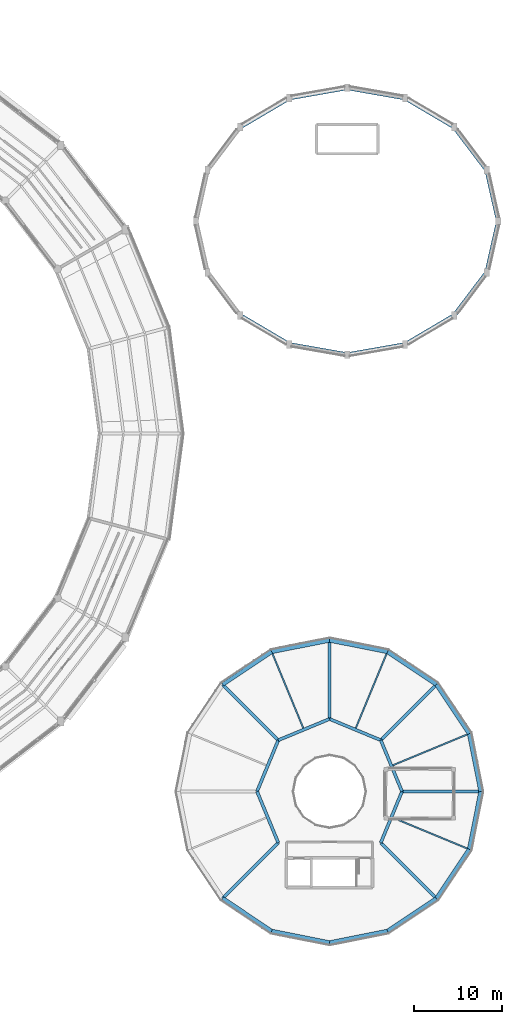
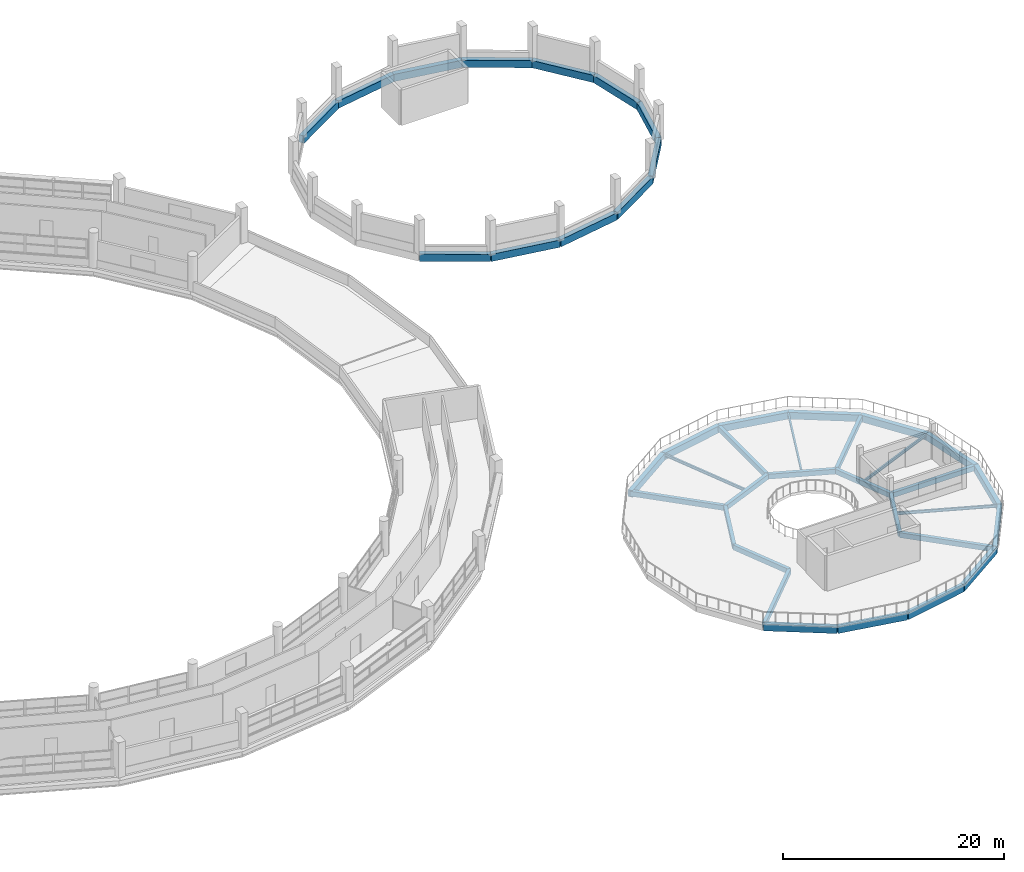
# One storey, part 82 of 108: 40 beams.
"""IFC4 building model written with IfcOpenShell, lengths in metres."""

from ifc_helpers import new_model, si_unit, direction, frame, origin, origin_2d, place, context, subcontext, project, spatial, rectangle, i_section, extrude, material, material_profile, profile_set, type_object, element, save


model = new_model("IFC4")

# Units and contexts
model_context = context("Model", 3, precision=1e-05, world=origin(), true_north=direction((0.0, 1.0)))
body_context = subcontext(model_context, "Body", "Model", "MODEL_VIEW")
ifc_project = project(units=[si_unit("LENGTHUNIT", "METRE"), si_unit("AREAUNIT", "SQUARE_METRE"), si_unit("VOLUMEUNIT", "CUBIC_METRE"), si_unit("PLANEANGLEUNIT", "RADIAN"), si_unit("MASSUNIT", "GRAM", prefix="KILO")], contexts=[model_context])

# Site, building, storey
site_placement = place(None, origin())
site = spatial("IfcSite", under=ifc_project, at=site_placement, CompositionType="ELEMENT")
building_placement = place(site_placement, origin())
building = spatial("IfcBuilding", under=site, at=building_placement, Name="Vespera Passage Community Centre", CompositionType="ELEMENT")
storey_placement = place(building_placement, frame((0.0, 0.0, 12.60009765625)))
storey = spatial("IfcBuildingStorey", under=building, at=storey_placement, Name="L03", CompositionType="ELEMENT", Elevation=12.60009765625)

# Beams
ifc_material_1 = material(Name="Concrete f'c 35 MPa", Category="concrete")
ifc_material_profile_1 = material_profile(ifc_material_1, rectangle(XDim=0.35009765625, YDim=0.550048828125, at=origin_2d()), Name="RC350X550")
ifc_profile_set_1 = profile_set([ifc_material_profile_1], Name="Concrete f'c 35 MPa")
beam_type_1 = type_object("IfcBeamType", Name="BM-J-350X550", PredefinedType="JOIST", material=ifc_profile_set_1)
beam_1_placement = place(storey_placement, frame((149.199951171875, 25.0, -0.5751953125), z_axis=(-0.382664436252, 0.92388740073, 0.0), x_axis=(-0.92388740073, -0.382664436252, 0.0)))
element("IfcBeam", 1, at=beam_1_placement, inside=storey, type_object=beam_type_1, Name="V3 L03 Inner Ring Beam 1", PredefinedType="JOIST", context=body_context, shape_type="SweptSolid", body=[
    extrude(rectangle(XDim=0.35009765625, YDim=0.550048828125, at=origin_2d()), origin(), (0.0, 0.0, 1.0), 6.276123046875),
])
beam_2_placement = place(storey_placement, frame((149.199951171875, 25.0, -0.5751953125), z_axis=(1.0, 0.0, 0.0), x_axis=(0.0, 1.0, 0.0)))
element("IfcBeam", 2, at=beam_2_placement, inside=storey, type_object=beam_type_1, Name="V3 L03 Radial Girder 1", PredefinedType="JOIST", context=body_context, shape_type="SweptSolid", body=[
    extrude(rectangle(XDim=0.35009765625, YDim=0.550048828125, at=origin_2d()), origin(), (0.0, 0.0, 1.0), 8.900146484375),
])
beam_3_placement = place(storey_placement, frame((146.79833984375, 30.79833984375, -0.5751953125), z_axis=(-0.92388740073, 0.382664436252, 0.0), x_axis=(-0.382664436252, -0.92388740073, 0.0)))
element("IfcBeam", 3, at=beam_3_placement, inside=storey, type_object=beam_type_1, Name="V3 L03 Inner Ring Beam 2", PredefinedType="JOIST", context=body_context, shape_type="SweptSolid", body=[
    extrude(rectangle(XDim=0.35009765625, YDim=0.550048828125, at=origin_2d()), origin(), (0.0, 0.0, 1.0), 6.276123046875),
])
beam_4_placement = place(storey_placement, frame((146.79833984375, 30.79833984375, -0.5751953125), z_axis=(0.707106781187, 0.707106781187, 0.0), x_axis=(-0.707106781187, 0.707106781187, 0.0)))
element("IfcBeam", 4, at=beam_4_placement, inside=storey, type_object=beam_type_1, Name="V3 L03 Radial Girder 2", PredefinedType="JOIST", context=body_context, shape_type="SweptSolid", body=[
    extrude(rectangle(XDim=0.35009765625, YDim=0.550048828125, at=origin_2d()), origin(), (0.0, 0.0, 1.0), 8.89990234375),
])
beam_5_placement = place(storey_placement, frame((141.0, 33.199951171875, -0.5751953125), z_axis=(-0.92388740073, -0.382664436252, 0.0), x_axis=(0.382664436252, -0.92388740073, 0.0)))
element("IfcBeam", 5, at=beam_5_placement, inside=storey, type_object=beam_type_1, Name="V3 L03 Inner Ring Beam 3", PredefinedType="JOIST", context=body_context, shape_type="SweptSolid", body=[
    extrude(rectangle(XDim=0.35009765625, YDim=0.550048828125, at=origin_2d()), origin(), (0.0, 0.0, 1.0), 6.276123046875),
])
beam_6_placement = place(storey_placement, frame((141.0, 33.199951171875, -0.5751953125), z_axis=(0.0, 1.0, 0.0), x_axis=(-1.0, 0.0, 0.0)))
element("IfcBeam", 6, at=beam_6_placement, inside=storey, type_object=beam_type_1, Name="V3 L03 Radial Girder 3", PredefinedType="JOIST", context=body_context, shape_type="SweptSolid", body=[
    extrude(rectangle(XDim=0.35009765625, YDim=0.550048828125, at=origin_2d()), origin(), (0.0, 0.0, 1.0), 8.900146484375),
])
beam_7_placement = place(storey_placement, frame((135.20166015625, 30.79833984375, -0.5751953125), z_axis=(-0.382664436252, -0.92388740073, 0.0), x_axis=(0.92388740073, -0.382664436252, 0.0)))
element("IfcBeam", 7, at=beam_7_placement, inside=storey, type_object=beam_type_1, Name="V3 L03 Inner Ring Beam 4", PredefinedType="JOIST", context=body_context, shape_type="SweptSolid", body=[
    extrude(rectangle(XDim=0.35009765625, YDim=0.550048828125, at=origin_2d()), origin(), (0.0, 0.0, 1.0), 6.276123046875),
])
beam_8_placement = place(storey_placement, frame((135.20166015625, 30.79833984375, -0.5751953125), z_axis=(-0.707106781187, 0.707106781187, 0.0), x_axis=(-0.707106781187, -0.707106781187, 0.0)))
element("IfcBeam", 8, at=beam_8_placement, inside=storey, type_object=beam_type_1, Name="V3 L03 Radial Girder 4", PredefinedType="JOIST", context=body_context, shape_type="SweptSolid", body=[
    extrude(rectangle(XDim=0.35009765625, YDim=0.550048828125, at=origin_2d()), origin(), (0.0, 0.0, 1.0), 8.89990234375),
])
beam_9_placement = place(storey_placement, frame((132.800048828125, 25.0, -0.5751953125), z_axis=(0.382664436252, -0.92388740073, 0.0), x_axis=(0.92388740073, 0.382664436252, 0.0)))
element("IfcBeam", 9, at=beam_9_placement, inside=storey, type_object=beam_type_1, Name="V3 L03 Inner Ring Beam 5", PredefinedType="JOIST", context=body_context, shape_type="SweptSolid", body=[
    extrude(rectangle(XDim=0.35009765625, YDim=0.550048828125, at=origin_2d()), origin(), (0.0, 0.0, 1.0), 6.276123046875),
])
beam_10_placement = place(storey_placement, frame((135.20166015625, 19.20166015625, -0.5751953125), z_axis=(-0.707106781187, -0.707106781187, 0.0), x_axis=(0.707106781187, -0.707106781187, 0.0)))
element("IfcBeam", 10, at=beam_10_placement, inside=storey, type_object=beam_type_1, Name="V3 L03 Radial Girder 6", PredefinedType="JOIST", context=body_context, shape_type="SweptSolid", body=[
    extrude(rectangle(XDim=0.35009765625, YDim=0.550048828125, at=origin_2d()), origin(), (0.0, 0.0, 1.0), 8.89990234375),
])
beam_11_placement = place(storey_placement, frame((146.79833984375, 19.20166015625, -0.5751953125), z_axis=(0.382664436252, 0.92388740073, 0.0), x_axis=(-0.92388740073, 0.382664436252, 0.0)))
element("IfcBeam", 11, at=beam_11_placement, inside=storey, type_object=beam_type_1, Name="V3 L03 Inner Ring Beam 8", PredefinedType="JOIST", context=body_context, shape_type="SweptSolid", body=[
    extrude(rectangle(XDim=0.35009765625, YDim=0.550048828125, at=origin_2d()), origin(), (0.0, 0.0, 1.0), 6.276123046875),
])
beam_12_placement = place(storey_placement, frame((146.79833984375, 19.20166015625, -0.5751953125), z_axis=(0.707106781187, -0.707106781187, 0.0), x_axis=(0.707106781187, 0.707106781187, 0.0)))
element("IfcBeam", 12, at=beam_12_placement, inside=storey, type_object=beam_type_1, Name="V3 L03 Radial Girder 8", PredefinedType="JOIST", context=body_context, shape_type="SweptSolid", body=[
    extrude(rectangle(XDim=0.35009765625, YDim=0.550048828125, at=origin_2d()), origin(), (0.0, 0.0, 1.0), 8.89990234375),
])
ifc_material_2 = material(Name="Steel ASTM A992 Grade 50", Category="steel")
ifc_material_profile_2 = material_profile(ifc_material_2, i_section(OverallWidth=0.16650390625, OverallDepth=0.3173828125, WebThickness=0.007568359375, FlangeThickness=0.01318359375, FilletRadius=0.007568359375, at=origin_2d()), Name="W12X35")
ifc_profile_set_2 = profile_set([ifc_material_profile_2], Name="Steel ASTM A992 Grade 50")
beam_type_2 = type_object("IfcBeamType", Name="BM-J-W12X35", PredefinedType="JOIST", material=ifc_profile_set_2)
beam_13_placement = place(storey_placement, frame((147.9990234375, 27.899169921875, -0.458984375), z_axis=(0.923880304795, 0.382681567901, 0.0), x_axis=(-0.382681567901, 0.923880304795, 0.0)))
element("IfcBeam", 13, at=beam_13_placement, inside=storey, type_object=beam_type_2, Name="V3 L03 Secondary Joist 1", PredefinedType="JOIST", context=body_context, shape_type="SweptSolid", body=[
    extrude(i_section(OverallWidth=0.16650390625, OverallDepth=0.3173828125, WebThickness=0.007568359375, FlangeThickness=0.01318359375, FilletRadius=0.007568359375, at=origin_2d()), origin(), (0.0, 0.0, 1.0), 9.5244140625),
])
for number, where, z_axis, x_axis, name in (
    (14, (143.899169921875, 31.999267578125, -0.458984375), (0.382690630849, 0.923876550769, 0.0), (-0.923876550769, 0.382690630849, 0.0), "V3 L03 Secondary Joist 2"),
    (15, (138.100830078125, 31.999267578125, -0.458984375), (-0.382690630849, 0.923876550769, 0.0), (-0.923876550769, -0.382690630849, 0.0), "V3 L03 Secondary Joist 3"),
):
    element("IfcBeam", number, at=place(storey_placement, frame(where, z_axis=z_axis, x_axis=x_axis)), inside=storey, type_object=beam_type_2, Name=name, PredefinedType="JOIST", context=body_context, shape_type="SweptSolid", body=[
        extrude(i_section(OverallWidth=0.16650390625, OverallDepth=0.3173828125, WebThickness=0.007568359375, FlangeThickness=0.01318359375, FilletRadius=0.007568359375, at=origin_2d()), origin(), (0.0, 0.0, 1.0), 9.524169921875),
    ])
beam_14_placement = place(storey_placement, frame((147.9990234375, 22.100830078125, -0.458984375), z_axis=(0.923880304795, -0.382681567901, 0.0), x_axis=(0.382681567901, 0.923880304795, 0.0)))
element("IfcBeam", 16, at=beam_14_placement, inside=storey, type_object=beam_type_2, Name="V3 L03 Secondary Joist 8", PredefinedType="JOIST", context=body_context, shape_type="SweptSolid", body=[
    extrude(i_section(OverallWidth=0.16650390625, OverallDepth=0.3173828125, WebThickness=0.007568359375, FlangeThickness=0.01318359375, FilletRadius=0.007568359375, at=origin_2d()), origin(), (0.0, 0.0, 1.0), 9.5244140625),
])
ifc_material_3 = material(Name="Concrete f'c 35 MPa", Category="concrete")
ifc_material_profile_3 = material_profile(ifc_material_3, rectangle(XDim=0.449951171875, YDim=0.75, at=origin_2d()), Name="RC450X750")
ifc_profile_set_3 = profile_set([ifc_material_profile_3], Name="Concrete f'c 35 MPa")
beam_type_3 = type_object("IfcBeamType", Name="BM-SP-450X750E", PredefinedType="SPANDREL", material=ifc_profile_set_3)
for number, where, z_axis, x_axis, name in (
    (17, (158.10009765625, 25.0, -0.675048828125), (-0.195102743632, 0.980782809509, 0.0), (-0.980782809509, -0.195102743632, 0.0), "V3 L03 Spandrel 1"),
    (18, (156.79833984375, 31.5439453125, -0.675048828125), (-0.55556964639, 0.831470004276, 0.0), (-0.831470004276, -0.55556964639, 0.0), "V3 L03 Spandrel 2"),
    (19, (153.091552734375, 37.091552734375, -0.675048828125), (-0.831470004276, 0.55556964639, 0.0), (-0.55556964639, -0.831470004276, 0.0), "V3 L03 Spandrel 3"),
    (20, (147.5439453125, 40.79833984375, -0.675048828125), (-0.980782809509, 0.195102743632, 0.0), (-0.195102743632, -0.980782809509, 0.0), "V3 L03 Spandrel 4"),
    (21, (141.0, 42.10009765625, -0.675048828125), (-0.980782809509, -0.195102743632, 0.0), (0.195102743632, -0.980782809509, 0.0), "V3 L03 Spandrel 5"),
    (22, (134.4560546875, 40.79833984375, -0.675048828125), (-0.831470004276, -0.55556964639, 0.0), (0.55556964639, -0.831470004276, 0.0), "V3 L03 Spandrel 6"),
    (23, (128.908447265625, 12.908447265625, -0.675048828125), (0.831470004276, -0.55556964639, 0.0), (0.55556964639, 0.831470004276, 0.0), "V3 L03 Spandrel 11"),
    (24, (134.4560546875, 9.20166015625, -0.675048828125), (0.980782809509, -0.195102743632, 0.0), (0.195102743632, 0.980782809509, 0.0), "V3 L03 Spandrel 12"),
    (25, (141.0, 7.89990234375, -0.675048828125), (0.980782809509, 0.195102743632, 0.0), (-0.195102743632, 0.980782809509, 0.0), "V3 L03 Spandrel 13"),
    (26, (147.5439453125, 9.20166015625, -0.675048828125), (0.831470004276, 0.55556964639, 0.0), (-0.55556964639, 0.831470004276, 0.0), "V3 L03 Spandrel 14"),
    (27, (153.091552734375, 12.908447265625, -0.675048828125), (0.55556964639, 0.831470004276, 0.0), (-0.831470004276, 0.55556964639, 0.0), "V3 L03 Spandrel 15"),
    (28, (156.79833984375, 18.4560546875, -0.675048828125), (0.195102743632, 0.980782809509, 0.0), (-0.980782809509, 0.195102743632, 0.0), "V3 L03 Spandrel 16"),
):
    element("IfcBeam", number, at=place(storey_placement, frame(where, z_axis=z_axis, x_axis=x_axis)), inside=storey, type_object=beam_type_3, Name=name, PredefinedType="SPANDREL", context=body_context, shape_type="SweptSolid", body=[
        extrude(rectangle(XDim=0.449951171875, YDim=0.75, at=origin_2d()), origin(), (0.0, 0.0, 1.0), 6.672119140625),
    ])
ifc_material_4 = material(Name="Concrete f'c 35 MPa", Category="concrete")
ifc_material_profile_4 = material_profile(ifc_material_4, rectangle(XDim=0.5, YDim=0.800048828125, at=origin_2d()), Name="RC500X800")
ifc_profile_set_4 = profile_set([ifc_material_profile_4], Name="Concrete f'c 35 MPa")
beam_type_4 = type_object("IfcBeamType", Name="BM-SP-500X800E", PredefinedType="SPANDREL", material=ifc_profile_set_4)
beam_15_placement = place(storey_placement, frame((160.10009765625, 89.5, -0.400146484375), z_axis=(-0.219766204697, 0.9755525692, 0.0), x_axis=(-0.9755525692, -0.219766204697, 0.0)))
element("IfcBeam", 29, at=beam_15_placement, inside=storey, type_object=beam_type_4, Name="V2 L03 Perimeter Spandrel 1", PredefinedType="SPANDREL", context=body_context, shape_type="SweptSolid", body=[
    extrude(rectangle(XDim=0.5, YDim=0.800048828125, at=origin_2d()), origin(), (0.0, 0.0, 1.0), 5.92333984375),
])
beam_16_placement = place(storey_placement, frame((158.79833984375, 95.278564453125, -0.400146484375), z_axis=(-0.603409203322, 0.797431710773, 0.0), x_axis=(-0.797431710773, -0.603409203322, 0.0)))
element("IfcBeam", 30, at=beam_16_placement, inside=storey, type_object=beam_type_4, Name="V2 L03 Perimeter Spandrel 2", PredefinedType="SPANDREL", context=body_context, shape_type="SweptSolid", body=[
    extrude(rectangle(XDim=0.5, YDim=0.800048828125, at=origin_2d()), origin(), (0.0, 0.0, 1.0), 6.14306640625),
])
beam_17_placement = place(storey_placement, frame((155.091552734375, 100.17724609375, -0.400146484375), z_axis=(-0.861245535965, 0.508189065978, 0.0), x_axis=(-0.508189065978, -0.861245535965, 0.0)))
element("IfcBeam", 31, at=beam_17_placement, inside=storey, type_object=beam_type_4, Name="V2 L03 Perimeter Spandrel 3", PredefinedType="SPANDREL", context=body_context, shape_type="SweptSolid", body=[
    extrude(rectangle(XDim=0.5, YDim=0.800048828125, at=origin_2d()), origin(), (0.0, 0.0, 1.0), 6.44140625),
])
for number, where, z_axis, x_axis, name in (
    (32, (149.5439453125, 103.45068359375, -0.400146484375), (-0.984922333185, 0.172997102844, 0.0), (-0.172997102844, -0.984922333185, 0.0), "V2 L03 Perimeter Spandrel 4"),
    (33, (143.0, 104.60009765625, -0.400146484375), (-0.984922333185, -0.172997102844, 0.0), (0.172997102844, -0.984922333185, 0.0), "V2 L03 Perimeter Spandrel 5"),
):
    element("IfcBeam", number, at=place(storey_placement, frame(where, z_axis=z_axis, x_axis=x_axis)), inside=storey, type_object=beam_type_4, Name=name, PredefinedType="SPANDREL", context=body_context, shape_type="SweptSolid", body=[
        extrude(rectangle(XDim=0.5, YDim=0.800048828125, at=origin_2d()), origin(), (0.0, 0.0, 1.0), 6.64404296875),
    ])
for number, where, z_axis, x_axis, name in (
    (34, (136.4560546875, 103.45068359375, -0.400146484375), (-0.861245535965, -0.508189065978, 0.0), (0.508189065978, -0.861245535965, 0.0), "V2 L03 Perimeter Spandrel 6"),
    (35, (130.908447265625, 78.82275390625, -0.400146484375), (0.861245535965, -0.508189065978, 0.0), (0.508189065978, 0.861245535965, 0.0), "V2 L03 Perimeter Spandrel 11"),
):
    element("IfcBeam", number, at=place(storey_placement, frame(where, z_axis=z_axis, x_axis=x_axis)), inside=storey, type_object=beam_type_4, Name=name, PredefinedType="SPANDREL", context=body_context, shape_type="SweptSolid", body=[
        extrude(rectangle(XDim=0.5, YDim=0.800048828125, at=origin_2d()), origin(), (0.0, 0.0, 1.0), 6.44140625),
    ])
for number, where, z_axis, x_axis, name in (
    (36, (136.4560546875, 75.54931640625, -0.400146484375), (0.984922333185, -0.172997102844, 0.0), (0.172997102844, 0.984922333185, 0.0), "V2 L03 Perimeter Spandrel 12"),
    (37, (143.0, 74.39990234375, -0.400146484375), (0.984922333185, 0.172997102844, 0.0), (-0.172997102844, 0.984922333185, 0.0), "V2 L03 Perimeter Spandrel 13"),
):
    element("IfcBeam", number, at=place(storey_placement, frame(where, z_axis=z_axis, x_axis=x_axis)), inside=storey, type_object=beam_type_4, Name=name, PredefinedType="SPANDREL", context=body_context, shape_type="SweptSolid", body=[
        extrude(rectangle(XDim=0.5, YDim=0.800048828125, at=origin_2d()), origin(), (0.0, 0.0, 1.0), 6.64404296875),
    ])
beam_18_placement = place(storey_placement, frame((149.5439453125, 75.54931640625, -0.400146484375), z_axis=(0.861245535965, 0.508189065978, 0.0), x_axis=(-0.508189065978, 0.861245535965, 0.0)))
element("IfcBeam", 38, at=beam_18_placement, inside=storey, type_object=beam_type_4, Name="V2 L03 Perimeter Spandrel 14", PredefinedType="SPANDREL", context=body_context, shape_type="SweptSolid", body=[
    extrude(rectangle(XDim=0.5, YDim=0.800048828125, at=origin_2d()), origin(), (0.0, 0.0, 1.0), 6.44140625),
])
beam_19_placement = place(storey_placement, frame((155.091552734375, 78.82275390625, -0.400146484375), z_axis=(0.603409203322, 0.797431710773, 0.0), x_axis=(-0.797431710773, 0.603409203322, 0.0)))
element("IfcBeam", 39, at=beam_19_placement, inside=storey, type_object=beam_type_4, Name="V2 L03 Perimeter Spandrel 15", PredefinedType="SPANDREL", context=body_context, shape_type="SweptSolid", body=[
    extrude(rectangle(XDim=0.5, YDim=0.800048828125, at=origin_2d()), origin(), (0.0, 0.0, 1.0), 6.14306640625),
])
beam_20_placement = place(storey_placement, frame((158.79833984375, 83.721435546875, -0.400146484375), z_axis=(0.219766204697, 0.9755525692, 0.0), x_axis=(-0.9755525692, 0.219766204697, 0.0)))
element("IfcBeam", 40, at=beam_20_placement, inside=storey, type_object=beam_type_4, Name="V2 L03 Perimeter Spandrel 16", PredefinedType="SPANDREL", context=body_context, shape_type="SweptSolid", body=[
    extrude(rectangle(XDim=0.5, YDim=0.800048828125, at=origin_2d()), origin(), (0.0, 0.0, 1.0), 5.92333984375),
])

save(model, "model.ifc")
